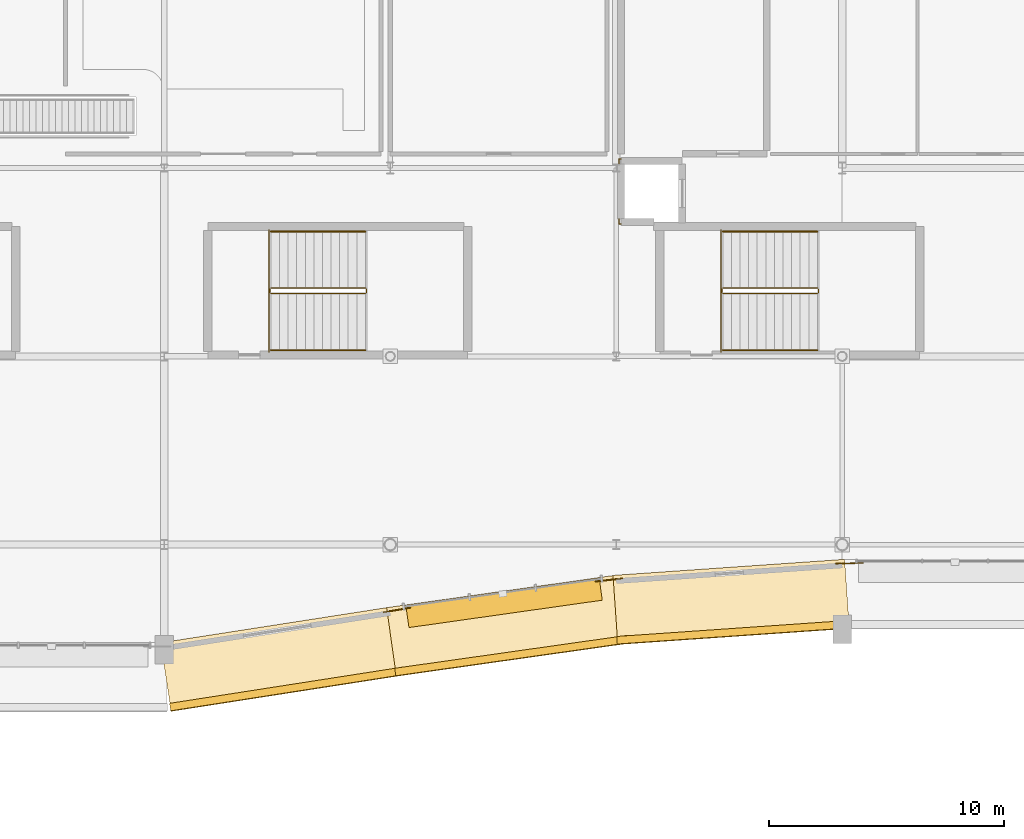
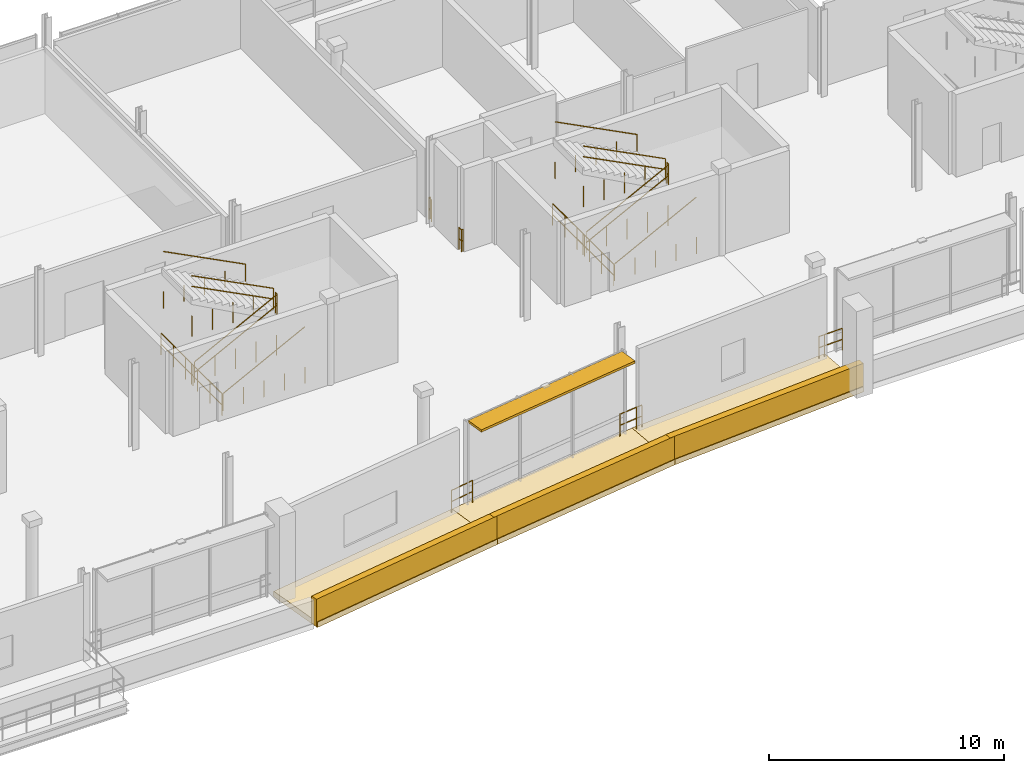
# One storey, part 49 of 59: 19 railings, 6 coverings, 1 shading device.
"""IFC4 building model written with IfcOpenShell, lengths in metres."""

from ifc_helpers import new_model, si_unit, direction, frame, origin, origin_2d, place, context, subcontext, project, spatial, rectangle, circle, extrude, material, layer, layer_set, type_object, element, save


model = new_model("IFC4")

# Units and contexts
model_context = context("Model", 3, precision=1e-05, world=origin(), true_north=direction((0.0, 1.0)))
body_context = subcontext(model_context, "Body", "Model", "MODEL_VIEW")
ifc_project = project(units=[si_unit("LENGTHUNIT", "METRE"), si_unit("AREAUNIT", "SQUARE_METRE"), si_unit("VOLUMEUNIT", "CUBIC_METRE"), si_unit("PLANEANGLEUNIT", "RADIAN"), si_unit("MASSUNIT", "GRAM", prefix="KILO")], contexts=[model_context])

# Site, building, storey
site_placement = place(None, origin())
site = spatial("IfcSite", under=ifc_project, at=site_placement, CompositionType="ELEMENT")
building_placement = place(site_placement, origin())
building = spatial("IfcBuilding", under=site, at=building_placement, Name="Danafjord Basin Convention Centre", CompositionType="ELEMENT")
storey_placement = place(building_placement, frame((0.0, 0.0, 15.89990234375)))
storey = spatial("IfcBuildingStorey", under=building, at=storey_placement, Name="L03", CompositionType="ELEMENT", Elevation=15.89990234375)

# Coverings
ifc_material_1 = material(Name="Architectural white precast concrete C45/55", Category="concrete")
ifc_layer = layer(ifc_material_1, 0.320068359375)
ifc_layer_set = layer_set([ifc_layer], Name="Architectural white precast concrete C45/55")
covering_type = type_object("IfcCoveringType", Name="COV-BAND-HORIZ", PredefinedType="CLADDING", material=ifc_layer_set)
covering_1_placement = place(storey_placement, frame((33.788330078125, 3.135986328125, -0.27978515625), z_axis=(0.0, 0.0, 1.0), x_axis=(0.988121679372, 0.153673507006, 0.0)))
element("IfcCovering", 1, at=covering_1_placement, inside=storey, type_object=covering_type, Name="L03 stepped horizontal band soffit plate 28", PredefinedType="CLADDING", context=body_context, shape_type="SweptSolid", body=[
    extrude(rectangle(XDim=9.955078125, YDim=2.949951171875, at=origin_2d()), origin(), (0.0, 0.0, 1.0), 0.280029296875),
])
covering_2_placement = place(storey_placement, frame((33.985595703125, 1.8662109375, -0.23974609375), z_axis=(0.0, 0.0, 1.0), x_axis=(0.988121679372, 0.153673507006, 0.0)))
element("IfcCovering", 2, at=covering_2_placement, inside=storey, type_object=covering_type, Name="L03 layered horizontal white spandrel band 28", PredefinedType="CLADDING", context=body_context, shape_type="SweptSolid", body=[
    extrude(rectangle(XDim=9.9951171875, YDim=0.320068359375, at=origin_2d()), origin(), (0.0, 0.0, 1.0), 1.419921875),
])
covering_3_placement = place(storey_placement, frame((43.37158203125, 4.5595703125, -0.27978515625), z_axis=(0.0, 0.0, 1.0), x_axis=(0.990128157327, 0.140165017276, 0.0)))
element("IfcCovering", 3, at=covering_3_placement, inside=storey, type_object=covering_type, Name="L03 stepped horizontal band soffit plate 29", PredefinedType="CLADDING", context=body_context, shape_type="SweptSolid", body=[
    extrude(rectangle(XDim=9.93603515625, YDim=2.949951171875, at=origin_2d()), origin(), (0.0, 0.0, 1.0), 0.280029296875),
])
covering_4_placement = place(storey_placement, frame((43.5517578125, 3.287353515625, -0.23974609375), z_axis=(0.0, 0.0, 1.0), x_axis=(0.990128157327, 0.140165017276, 0.0)))
element("IfcCovering", 4, at=covering_4_placement, inside=storey, type_object=covering_type, Name="L03 layered horizontal white spandrel band 29", PredefinedType="CLADDING", context=body_context, shape_type="SweptSolid", body=[
    extrude(rectangle(XDim=9.97607421875, YDim=0.320068359375, at=origin_2d()), origin(), (0.0, 0.0, 1.0), 1.419921875),
])
covering_5_placement = place(storey_placement, frame((52.884765625, 5.5625, -0.27978515625), z_axis=(0.0, 0.0, 1.0), x_axis=(0.997609375858, 0.069105232798, 0.0)))
element("IfcCovering", 5, at=covering_5_placement, inside=storey, type_object=covering_type, Name="L03 stepped horizontal band soffit plate 30", PredefinedType="CLADDING", context=body_context, shape_type="SweptSolid", body=[
    extrude(rectangle(XDim=9.863037109375, YDim=2.949951171875, at=origin_2d()), origin(), (0.0, 0.0, 1.0), 0.280029296875),
])
covering_6_placement = place(storey_placement, frame((52.973388671875, 4.280517578125, -0.23974609375), z_axis=(0.0, 0.0, 1.0), x_axis=(0.997609375858, 0.069105232798, 0.0)))
element("IfcCovering", 6, at=covering_6_placement, inside=storey, type_object=covering_type, Name="L03 layered horizontal white spandrel band 30", PredefinedType="CLADDING", context=body_context, shape_type="SweptSolid", body=[
    extrude(rectangle(XDim=9.903076171875, YDim=0.320068359375, at=origin_2d()), origin(), (0.0, 0.0, 1.0), 1.419921875),
])

# Railings
ifc_material_2 = material(Name="Laminated structural glass and stainless steel", Category="steel")
railing_type_1 = type_object("IfcRailingType", Name="RL-BAL-GLS", PredefinedType="BALUSTRADE", material=ifc_material_2)
railing_1_placement = place(storey_placement, frame((58.47998046875, 7.219970703125, 0.0)))
element("IfcRailing", 7, at=railing_1_placement, inside=storey, type_object=railing_type_1, Name="L03 safety guard balustrade 254", PredefinedType="BALUSTRADE", context=body_context, shape_type="SweptSolid", body=[
    extrude(circle(Radius=0.02392578125, at=origin_2d()), frame((0.0, 0.0, 1.1259765625), z_axis=(-0.999662472804, -0.025979616379, 0.0), x_axis=(0.025979616379, -0.999662472804, 0.0)), (0.0, 0.0, 1.0), 0.88330078125),
    extrude(circle(Radius=0.02392578125, at=origin_2d()), frame((0.0, 0.0, 0.55078125), z_axis=(-0.999662472804, -0.025979616379, 0.0), x_axis=(0.025979616379, -0.999662472804, 0.0)), (0.0, 0.0, 1.0), 0.88330078125),
    extrude(circle(Radius=0.02392578125, at=origin_2d()), frame((-0.883056640625, -0.02294921875, 1.1259765625), z_axis=(-0.99910130476, -0.04238611596, 0.0), x_axis=(0.04238611596, -0.99910130476, 0.0)), (0.0, 0.0, 1.0), 0.2822265625),
    extrude(circle(Radius=0.02392578125, at=origin_2d()), frame((-0.883056640625, -0.02294921875, 0.55078125), z_axis=(-0.99910130476, -0.04238611596, 0.0), x_axis=(0.04238611596, -0.99910130476, 0.0)), (0.0, 0.0, 1.0), 0.2822265625),
    extrude(circle(Radius=0.02099609375, at=origin_2d()), origin(), (0.0, 0.0, 1.0), 1.099853515625),
    extrude(circle(Radius=0.02099609375, at=origin_2d()), frame((-0.883056640625, -0.02294921875, 0.0)), (0.0, 0.0, 1.0), 1.099853515625),
    extrude(circle(Radius=0.02099609375, at=origin_2d()), frame((-1.1650390625, -0.034912109375, 0.0)), (0.0, 0.0, 1.0), 1.099853515625),
])
railing_2_placement = place(storey_placement, frame((48.27294921875, 6.55908203125, 0.0)))
element("IfcRailing", 8, at=railing_2_placement, inside=storey, type_object=railing_type_1, Name="L03 safety guard balustrade 255", PredefinedType="BALUSTRADE", context=body_context, shape_type="SweptSolid", body=[
    extrude(circle(Radius=0.02392578125, at=origin_2d()), frame((0.0, 0.0, 1.1259765625), z_axis=(-0.995382053883, -0.09599253517, 0.0), x_axis=(0.09599253517, -0.995382053883, 0.0)), (0.0, 0.0, 1.0), 0.2822265625),
    extrude(circle(Radius=0.02392578125, at=origin_2d()), frame((0.0, 0.0, 0.55078125), z_axis=(-0.995382053883, -0.09599253517, 0.0), x_axis=(0.09599253517, -0.995382053883, 0.0)), (0.0, 0.0, 1.0), 0.2822265625),
    extrude(circle(Radius=0.02392578125, at=origin_2d()), frame((-0.281005859375, -0.027099609375, 1.1259765625), z_axis=(-0.993562916421, -0.113281645087, 0.0), x_axis=(0.113281645087, -0.993562916421, 0.0)), (0.0, 0.0, 1.0), 0.883544921875),
    extrude(circle(Radius=0.02392578125, at=origin_2d()), frame((-0.281005859375, -0.027099609375, 0.55078125), z_axis=(-0.993562916421, -0.113281645087, 0.0), x_axis=(0.113281645087, -0.993562916421, 0.0)), (0.0, 0.0, 1.0), 0.883544921875),
    extrude(circle(Radius=0.02099609375, at=origin_2d()), origin(), (0.0, 0.0, 1.0), 1.099853515625),
    extrude(circle(Radius=0.02099609375, at=origin_2d()), frame((-0.281005859375, -0.027099609375, 0.0)), (0.0, 0.0, 1.0), 1.099853515625),
    extrude(circle(Radius=0.02099609375, at=origin_2d()), frame((-1.158935546875, -0.127197265625, 0.0)), (0.0, 0.0, 1.0), 1.099853515625),
])
railing_3_placement = place(storey_placement, frame((39.257080078125, 5.320068359375, 0.0)))
element("IfcRailing", 9, at=railing_3_placement, inside=storey, type_object=railing_type_1, Name="L03 safety guard balustrade 256", PredefinedType="BALUSTRADE", context=body_context, shape_type="SweptSolid", body=[
    extrude(circle(Radius=0.02392578125, at=origin_2d()), frame((0.0, 0.0, 1.1259765625), z_axis=(-0.98579674647, -0.167942771947, 0.0), x_axis=(0.167942771947, -0.98579674647, 0.0)), (0.0, 0.0, 1.0), 1.16162109375),
    extrude(circle(Radius=0.02392578125, at=origin_2d()), frame((0.0, 0.0, 0.55078125), z_axis=(-0.98579674647, -0.167942771947, 0.0), x_axis=(0.167942771947, -0.98579674647, 0.0)), (0.0, 0.0, 1.0), 1.16162109375),
    extrude(circle(Radius=0.02099609375, at=origin_2d()), origin(), (0.0, 0.0, 1.0), 1.099853515625),
    extrude(circle(Radius=0.02099609375, at=origin_2d()), frame((-1.14501953125, -0.195068359375, 0.0)), (0.0, 0.0, 1.0), 1.099853515625),
])
railing_4_placement = place(storey_placement, frame((48.199951171875, 24.3798828125, 0.0)))
element("IfcRailing", 10, at=railing_4_placement, inside=storey, type_object=railing_type_1, Name="L03 safety guard balustrade 268", PredefinedType="BALUSTRADE", context=body_context, shape_type="SweptSolid", body=[
    extrude(circle(Radius=0.02392578125, at=origin_2d()), frame((0.0, 0.0, 1.1259765625), z_axis=(-1.0, 0.0, 0.0), x_axis=(0.0, -1.0, 0.0)), (0.0, 0.0, 1.0), 0.079833984375),
    extrude(circle(Radius=0.02392578125, at=origin_2d()), frame((0.0, 0.0, 0.55078125), z_axis=(-1.0, 0.0, 0.0), x_axis=(0.0, -1.0, 0.0)), (0.0, 0.0, 1.0), 0.079833984375),
    extrude(circle(Radius=0.02392578125, at=origin_2d()), frame((-0.079833984375, 0.0, 1.1259765625), z_axis=(0.0, -1.0, 0.0), x_axis=(1.0, 0.0, 0.0)), (0.0, 0.0, 1.0), 0.21484375),
    extrude(circle(Radius=0.02392578125, at=origin_2d()), frame((-0.079833984375, 0.0, 0.55078125), z_axis=(0.0, -1.0, 0.0), x_axis=(1.0, 0.0, 0.0)), (0.0, 0.0, 1.0), 0.21484375),
    extrude(circle(Radius=0.02099609375, at=origin_2d()), origin(), (0.0, 0.0, 1.0), 1.099853515625),
    extrude(circle(Radius=0.02099609375, at=origin_2d()), frame((-0.079833984375, 0.0, 0.0)), (0.0, 0.0, 1.0), 1.099853515625),
    extrude(circle(Radius=0.02099609375, at=origin_2d()), frame((-0.079833984375, -0.21484375, 0.0)), (0.0, 0.0, 1.0), 1.099853515625),
])
railing_5_placement = place(storey_placement, frame((33.25, 21.375, 0.0)))
element("IfcRailing", 11, at=railing_5_placement, inside=storey, type_object=railing_type_1, Name="L03 safety guard balustrade 270", PredefinedType="BALUSTRADE", context=body_context, shape_type="SweptSolid", body=[
    extrude(circle(Radius=0.02392578125, at=origin_2d()), frame((0.0, 0.0, 1.1259765625), z_axis=(0.0, -1.0, 0.0), x_axis=(1.0, 0.0, 0.0)), (0.0, 0.0, 1.0), 5.18994140625),
    extrude(circle(Radius=0.02392578125, at=origin_2d()), frame((0.0, 0.0, 0.55078125), z_axis=(0.0, -1.0, 0.0), x_axis=(1.0, 0.0, 0.0)), (0.0, 0.0, 1.0), 5.18994140625),
    extrude(circle(Radius=0.02099609375, at=origin_2d()), origin(), (0.0, 0.0, 1.0), 1.099853515625),
    extrude(circle(Radius=0.02099609375, at=origin_2d()), frame((0.0, -1.0380859375, 0.0)), (0.0, 0.0, 1.0), 1.099853515625),
    extrude(circle(Radius=0.02099609375, at=origin_2d()), frame((0.0, -2.075927734375, 0.0)), (0.0, 0.0, 1.0), 1.099853515625),
    extrude(circle(Radius=0.02099609375, at=origin_2d()), frame((0.0, -3.114013671875, 0.0)), (0.0, 0.0, 1.0), 1.099853515625),
    extrude(circle(Radius=0.02099609375, at=origin_2d()), frame((0.0, -4.15185546875, 0.0)), (0.0, 0.0, 1.0), 1.099853515625),
    extrude(circle(Radius=0.02099609375, at=origin_2d()), frame((0.0, -5.18994140625, 0.0)), (0.0, 0.0, 1.0), 1.099853515625),
])
ifc_material_3 = material(Name="Galvanised and powder-coated steel S355", Category="steel")
railing_type_2 = type_object("IfcRailingType", Name="RL-BAL-STL", PredefinedType="BALUSTRADE", material=ifc_material_3)
railing_6_placement = place(storey_placement, frame((52.449951171875, 21.375, 0.0)))
element("IfcRailing", 12, at=railing_6_placement, inside=storey, type_object=railing_type_2, Name="L03 safety guard balustrade 267", PredefinedType="BALUSTRADE", context=body_context, shape_type="SweptSolid", body=[
    extrude(circle(Radius=0.02392578125, at=origin_2d()), frame((0.0, 0.0, 1.1259765625), z_axis=(0.0, -1.0, 0.0), x_axis=(1.0, 0.0, 0.0)), (0.0, 0.0, 1.0), 5.18994140625),
    extrude(circle(Radius=0.02392578125, at=origin_2d()), frame((0.0, 0.0, 0.55078125), z_axis=(0.0, -1.0, 0.0), x_axis=(1.0, 0.0, 0.0)), (0.0, 0.0, 1.0), 5.18994140625),
    extrude(circle(Radius=0.02099609375, at=origin_2d()), origin(), (0.0, 0.0, 1.0), 1.099853515625),
    extrude(circle(Radius=0.02099609375, at=origin_2d()), frame((0.0, -1.0380859375, 0.0)), (0.0, 0.0, 1.0), 1.099853515625),
    extrude(circle(Radius=0.02099609375, at=origin_2d()), frame((0.0, -2.075927734375, 0.0)), (0.0, 0.0, 1.0), 1.099853515625),
    extrude(circle(Radius=0.02099609375, at=origin_2d()), frame((0.0, -3.114013671875, 0.0)), (0.0, 0.0, 1.0), 1.099853515625),
    extrude(circle(Radius=0.02099609375, at=origin_2d()), frame((0.0, -4.15185546875, 0.0)), (0.0, 0.0, 1.0), 1.099853515625),
    extrude(circle(Radius=0.02099609375, at=origin_2d()), frame((0.0, -5.18994140625, 0.0)), (0.0, 0.0, 1.0), 1.099853515625),
])
railing_7_placement = place(storey_placement, frame((48.1201171875, 21.8349609375, 0.0)))
element("IfcRailing", 13, at=railing_7_placement, inside=storey, type_object=railing_type_2, Name="L03 safety guard balustrade 269", PredefinedType="BALUSTRADE", context=body_context, shape_type="SweptSolid", body=[
    extrude(circle(Radius=0.02392578125, at=origin_2d()), frame((0.0, 0.0, 1.1259765625), z_axis=(0.0, -1.0, 0.0), x_axis=(1.0, 0.0, 0.0)), (0.0, 0.0, 1.0), 0.21484375),
    extrude(circle(Radius=0.02392578125, at=origin_2d()), frame((0.0, 0.0, 0.55078125), z_axis=(0.0, -1.0, 0.0), x_axis=(1.0, 0.0, 0.0)), (0.0, 0.0, 1.0), 0.21484375),
    extrude(circle(Radius=0.02392578125, at=origin_2d()), frame((0.0, -0.21484375, 1.1259765625), z_axis=(1.0, 0.0, 0.0), x_axis=(0.0, 1.0, 0.0)), (0.0, 0.0, 1.0), 0.079833984375),
    extrude(circle(Radius=0.02392578125, at=origin_2d()), frame((0.0, -0.21484375, 0.55078125), z_axis=(1.0, 0.0, 0.0), x_axis=(0.0, 1.0, 0.0)), (0.0, 0.0, 1.0), 0.079833984375),
    extrude(circle(Radius=0.02099609375, at=origin_2d()), origin(), (0.0, 0.0, 1.0), 1.099853515625),
    extrude(circle(Radius=0.02099609375, at=origin_2d()), frame((0.0, -0.21484375, 0.0)), (0.0, 0.0, 1.0), 1.099853515625),
    extrude(circle(Radius=0.02099609375, at=origin_2d()), frame((0.079833984375, -0.21484375, 0.0)), (0.0, 0.0, 1.0), 1.099853515625),
])
ifc_material_4 = material(Name="Galvanised steel S355", Category="steel")
railing_type_3 = type_object("IfcRailingType", Name="RL-GD-WELL", PredefinedType="BALUSTRADE", material=ifc_material_4)
railing_8_placement = place(storey_placement, frame((52.530029296875, 18.659912109375, 0.1875)))
element("IfcRailing", 14, at=railing_8_placement, inside=storey, type_object=railing_type_3, Name="L03 ST-05 stair guard 1", PredefinedType="BALUSTRADE", context=body_context, shape_type="SweptSolid", body=[
    extrude(circle(Radius=0.02392578125, at=origin_2d()), frame((0.0, 0.0, 1.076171875), z_axis=(0.889495128042, 0.0, 0.456944654405), x_axis=(0.0, 1.0, 0.0)), (0.0, 0.0, 1.0), 4.513671875),
    extrude(circle(Radius=0.02392578125, at=origin_2d()), frame((0.0, 0.0, 0.52587890625), z_axis=(0.889495128042, 0.0, 0.456944654405), x_axis=(0.0, 1.0, 0.0)), (0.0, 0.0, 1.0), 4.513671875),
    extrude(circle(Radius=0.02099609375, at=origin_2d()), origin(), (0.0, 0.0, 1.0), 1.050048828125),
    extrude(circle(Radius=0.02099609375, at=origin_2d()), frame((1.003662109375, 0.0, 0.0)), (0.0, 0.0, 1.0), 1.050048828125),
    extrude(circle(Radius=0.02099609375, at=origin_2d()), frame((2.00732421875, 0.0, 0.0)), (0.0, 0.0, 1.0), 1.050048828125),
    extrude(circle(Radius=0.02099609375, at=origin_2d()), frame((3.01123046875, 0.0, 0.0)), (0.0, 0.0, 1.0), 1.050048828125),
    extrude(circle(Radius=0.02099609375, at=origin_2d()), frame((4.014892578125, 0.0, 0.0)), (0.0, 0.0, 1.0), 1.050048828125),
])
railing_9_placement = place(storey_placement, frame((56.594970703125, 18.7099609375, 2.25)))
element("IfcRailing", 15, at=railing_9_placement, inside=storey, type_object=railing_type_3, Name="L03 ST-05 stair guard 2", PredefinedType="BALUSTRADE", context=body_context, shape_type="SweptSolid", body=[
    extrude(circle(Radius=0.02392578125, at=origin_2d()), frame((0.0, 0.0, 1.076171875), z_axis=(0.0, 1.0, 0.0), x_axis=(-1.0, 0.0, 0.0)), (0.0, 0.0, 1.0), 0.14013671875),
    extrude(circle(Radius=0.02392578125, at=origin_2d()), frame((0.0, 0.0, 0.52587890625), z_axis=(0.0, 1.0, 0.0), x_axis=(-1.0, 0.0, 0.0)), (0.0, 0.0, 1.0), 0.14013671875),
    extrude(circle(Radius=0.02099609375, at=origin_2d()), origin(), (0.0, 0.0, 1.0), 1.050048828125),
    extrude(circle(Radius=0.02099609375, at=origin_2d()), frame((0.0, 0.14013671875, 0.0)), (0.0, 0.0, 1.0), 1.050048828125),
])
railing_10_placement = place(storey_placement, frame((56.544921875, 18.89990234375, 2.4375)))
element("IfcRailing", 16, at=railing_10_placement, inside=storey, type_object=railing_type_3, Name="L03 ST-05 stair guard 3", PredefinedType="BALUSTRADE", context=body_context, shape_type="SweptSolid", body=[
    extrude(circle(Radius=0.02392578125, at=origin_2d()), frame((0.0, 0.0, 1.076171875), z_axis=(-0.889495128042, 0.0, 0.456944654405), x_axis=(0.0, -1.0, 0.0)), (0.0, 0.0, 1.0), 4.513671875),
    extrude(circle(Radius=0.02392578125, at=origin_2d()), frame((0.0, 0.0, 0.52587890625), z_axis=(-0.889495128042, 0.0, 0.456944654405), x_axis=(0.0, -1.0, 0.0)), (0.0, 0.0, 1.0), 4.513671875),
    extrude(circle(Radius=0.02099609375, at=origin_2d()), origin(), (0.0, 0.0, 1.0), 1.050048828125),
    extrude(circle(Radius=0.02099609375, at=origin_2d()), frame((-1.003662109375, 0.0, 0.0)), (0.0, 0.0, 1.0), 1.050048828125),
    extrude(circle(Radius=0.02099609375, at=origin_2d()), frame((-2.00732421875, 0.0, 0.0)), (0.0, 0.0, 1.0), 1.050048828125),
    extrude(circle(Radius=0.02099609375, at=origin_2d()), frame((-3.01123046875, 0.0, 0.0)), (0.0, 0.0, 1.0), 1.050048828125),
    extrude(circle(Radius=0.02099609375, at=origin_2d()), frame((-4.014892578125, 0.0, 0.0)), (0.0, 0.0, 1.0), 1.050048828125),
])
railing_11_placement = place(storey_placement, frame((52.47998046875, 18.7099609375, 0.0)))
element("IfcRailing", 17, at=railing_11_placement, inside=storey, type_object=railing_type_3, Name="L03 ST-05 stair guard 4", PredefinedType="BALUSTRADE", context=body_context, shape_type="SweptSolid", body=[
    extrude(circle(Radius=0.02392578125, at=origin_2d()), frame((0.0, 0.0, 1.076171875), z_axis=(0.0, 1.0, 0.0), x_axis=(-1.0, 0.0, 0.0)), (0.0, 0.0, 1.0), 0.14013671875),
    extrude(circle(Radius=0.02392578125, at=origin_2d()), frame((0.0, 0.0, 0.52587890625), z_axis=(0.0, 1.0, 0.0), x_axis=(-1.0, 0.0, 0.0)), (0.0, 0.0, 1.0), 0.14013671875),
    extrude(circle(Radius=0.02099609375, at=origin_2d()), origin(), (0.0, 0.0, 1.0), 1.050048828125),
    extrude(circle(Radius=0.02099609375, at=origin_2d()), frame((0.0, 0.14013671875, 0.0)), (0.0, 0.0, 1.0), 1.050048828125),
])
railing_12_placement = place(storey_placement, frame((33.330078125, 18.659912109375, 0.1875)))
element("IfcRailing", 18, at=railing_12_placement, inside=storey, type_object=railing_type_3, Name="L03 ST-02 stair guard 1", PredefinedType="BALUSTRADE", context=body_context, shape_type="SweptSolid", body=[
    extrude(circle(Radius=0.02392578125, at=origin_2d()), frame((0.0, 0.0, 1.076171875), z_axis=(0.889495128042, 0.0, 0.456944654405), x_axis=(0.0, 1.0, 0.0)), (0.0, 0.0, 1.0), 4.513671875),
    extrude(circle(Radius=0.02392578125, at=origin_2d()), frame((0.0, 0.0, 0.52587890625), z_axis=(0.889495128042, 0.0, 0.456944654405), x_axis=(0.0, 1.0, 0.0)), (0.0, 0.0, 1.0), 4.513671875),
    extrude(circle(Radius=0.02099609375, at=origin_2d()), origin(), (0.0, 0.0, 1.0), 1.050048828125),
    extrude(circle(Radius=0.02099609375, at=origin_2d()), frame((1.003662109375, 0.0, 0.0)), (0.0, 0.0, 1.0), 1.050048828125),
    extrude(circle(Radius=0.02099609375, at=origin_2d()), frame((2.00732421875, 0.0, 0.0)), (0.0, 0.0, 1.0), 1.050048828125),
    extrude(circle(Radius=0.02099609375, at=origin_2d()), frame((3.01123046875, 0.0, 0.0)), (0.0, 0.0, 1.0), 1.050048828125),
    extrude(circle(Radius=0.02099609375, at=origin_2d()), frame((4.014892578125, 0.0, 0.0)), (0.0, 0.0, 1.0), 1.050048828125),
])
railing_13_placement = place(storey_placement, frame((37.39501953125, 18.7099609375, 2.25)))
element("IfcRailing", 19, at=railing_13_placement, inside=storey, type_object=railing_type_3, Name="L03 ST-02 stair guard 2", PredefinedType="BALUSTRADE", context=body_context, shape_type="SweptSolid", body=[
    extrude(circle(Radius=0.02392578125, at=origin_2d()), frame((0.0, 0.0, 1.076171875), z_axis=(0.0, 1.0, 0.0), x_axis=(-1.0, 0.0, 0.0)), (0.0, 0.0, 1.0), 0.14013671875),
    extrude(circle(Radius=0.02392578125, at=origin_2d()), frame((0.0, 0.0, 0.52587890625), z_axis=(0.0, 1.0, 0.0), x_axis=(-1.0, 0.0, 0.0)), (0.0, 0.0, 1.0), 0.14013671875),
    extrude(circle(Radius=0.02099609375, at=origin_2d()), origin(), (0.0, 0.0, 1.0), 1.050048828125),
    extrude(circle(Radius=0.02099609375, at=origin_2d()), frame((0.0, 0.14013671875, 0.0)), (0.0, 0.0, 1.0), 1.050048828125),
])
railing_14_placement = place(storey_placement, frame((37.344970703125, 18.89990234375, 2.4375)))
element("IfcRailing", 20, at=railing_14_placement, inside=storey, type_object=railing_type_3, Name="L03 ST-02 stair guard 3", PredefinedType="BALUSTRADE", context=body_context, shape_type="SweptSolid", body=[
    extrude(circle(Radius=0.02392578125, at=origin_2d()), frame((0.0, 0.0, 1.076171875), z_axis=(-0.889495128042, 0.0, 0.456944654405), x_axis=(0.0, -1.0, 0.0)), (0.0, 0.0, 1.0), 4.513671875),
    extrude(circle(Radius=0.02392578125, at=origin_2d()), frame((0.0, 0.0, 0.52587890625), z_axis=(-0.889495128042, 0.0, 0.456944654405), x_axis=(0.0, -1.0, 0.0)), (0.0, 0.0, 1.0), 4.513671875),
    extrude(circle(Radius=0.02099609375, at=origin_2d()), origin(), (0.0, 0.0, 1.0), 1.050048828125),
    extrude(circle(Radius=0.02099609375, at=origin_2d()), frame((-1.003662109375, 0.0, 0.0)), (0.0, 0.0, 1.0), 1.050048828125),
    extrude(circle(Radius=0.02099609375, at=origin_2d()), frame((-2.00732421875, 0.0, 0.0)), (0.0, 0.0, 1.0), 1.050048828125),
    extrude(circle(Radius=0.02099609375, at=origin_2d()), frame((-3.01123046875, 0.0, 0.0)), (0.0, 0.0, 1.0), 1.050048828125),
    extrude(circle(Radius=0.02099609375, at=origin_2d()), frame((-4.014892578125, 0.0, 0.0)), (0.0, 0.0, 1.0), 1.050048828125),
])
railing_15_placement = place(storey_placement, frame((33.280029296875, 18.7099609375, 0.0)))
element("IfcRailing", 21, at=railing_15_placement, inside=storey, type_object=railing_type_3, Name="L03 ST-02 stair guard 4", PredefinedType="BALUSTRADE", context=body_context, shape_type="SweptSolid", body=[
    extrude(circle(Radius=0.02392578125, at=origin_2d()), frame((0.0, 0.0, 1.076171875), z_axis=(0.0, 1.0, 0.0), x_axis=(-1.0, 0.0, 0.0)), (0.0, 0.0, 1.0), 0.14013671875),
    extrude(circle(Radius=0.02392578125, at=origin_2d()), frame((0.0, 0.0, 0.52587890625), z_axis=(0.0, 1.0, 0.0), x_axis=(-1.0, 0.0, 0.0)), (0.0, 0.0, 1.0), 0.14013671875),
    extrude(circle(Radius=0.02099609375, at=origin_2d()), origin(), (0.0, 0.0, 1.0), 1.050048828125),
    extrude(circle(Radius=0.02099609375, at=origin_2d()), frame((0.0, 0.14013671875, 0.0)), (0.0, 0.0, 1.0), 1.050048828125),
])
ifc_material_5 = material(Name="Brushed stainless steel EN 1.4404", Category="steel")
railing_type_4 = type_object("IfcRailingType", Name="RL-HR-STAIR", PredefinedType="HANDRAIL", material=ifc_material_5)
railing_16_placement = place(storey_placement, frame((52.530029296875, 16.260009765625, 0.1875)))
element("IfcRailing", 22, at=railing_16_placement, inside=storey, type_object=railing_type_4, Name="L03 ST-05 stair handrail 1", PredefinedType="HANDRAIL", context=body_context, shape_type="SweptSolid", body=[
    extrude(circle(Radius=0.02392578125, at=origin_2d()), frame((0.0, 0.0, 0.8759765625), z_axis=(0.889495128042, 0.0, 0.456944654405), x_axis=(0.0, 1.0, 0.0)), (0.0, 0.0, 1.0), 4.513671875),
    extrude(circle(Radius=0.02099609375, at=origin_2d()), origin(), (0.0, 0.0, 1.0), 0.849853515625),
    extrude(circle(Radius=0.02099609375, at=origin_2d()), frame((1.003662109375, 0.0, 0.0)), (0.0, 0.0, 1.0), 0.849853515625),
    extrude(circle(Radius=0.02099609375, at=origin_2d()), frame((2.00732421875, 0.0, 0.0)), (0.0, 0.0, 1.0), 0.849853515625),
    extrude(circle(Radius=0.02099609375, at=origin_2d()), frame((3.01123046875, 0.0, 0.0)), (0.0, 0.0, 1.0), 0.849853515625),
    extrude(circle(Radius=0.02099609375, at=origin_2d()), frame((4.014892578125, 0.0, 0.0)), (0.0, 0.0, 1.0), 0.849853515625),
])
railing_17_placement = place(storey_placement, frame((56.544921875, 21.300048828125, 2.4375)))
element("IfcRailing", 23, at=railing_17_placement, inside=storey, type_object=railing_type_4, Name="L03 ST-05 stair handrail 2", PredefinedType="HANDRAIL", context=body_context, shape_type="SweptSolid", body=[
    extrude(circle(Radius=0.02392578125, at=origin_2d()), frame((0.0, 0.0, 0.8759765625), z_axis=(-0.889495128042, 0.0, 0.456944654405), x_axis=(0.0, -1.0, 0.0)), (0.0, 0.0, 1.0), 4.513671875),
    extrude(circle(Radius=0.02099609375, at=origin_2d()), origin(), (0.0, 0.0, 1.0), 0.849853515625),
    extrude(circle(Radius=0.02099609375, at=origin_2d()), frame((-1.003662109375, 0.0, 0.0)), (0.0, 0.0, 1.0), 0.849853515625),
    extrude(circle(Radius=0.02099609375, at=origin_2d()), frame((-2.00732421875, 0.0, 0.0)), (0.0, 0.0, 1.0), 0.849853515625),
    extrude(circle(Radius=0.02099609375, at=origin_2d()), frame((-3.01123046875, 0.0, 0.0)), (0.0, 0.0, 1.0), 0.849853515625),
    extrude(circle(Radius=0.02099609375, at=origin_2d()), frame((-4.014892578125, 0.0, 0.0)), (0.0, 0.0, 1.0), 0.849853515625),
])
railing_18_placement = place(storey_placement, frame((33.330078125, 16.260009765625, 0.1875)))
element("IfcRailing", 24, at=railing_18_placement, inside=storey, type_object=railing_type_4, Name="L03 ST-02 stair handrail 1", PredefinedType="HANDRAIL", context=body_context, shape_type="SweptSolid", body=[
    extrude(circle(Radius=0.02392578125, at=origin_2d()), frame((0.0, 0.0, 0.8759765625), z_axis=(0.889495128042, 0.0, 0.456944654405), x_axis=(0.0, 1.0, 0.0)), (0.0, 0.0, 1.0), 4.513671875),
    extrude(circle(Radius=0.02099609375, at=origin_2d()), origin(), (0.0, 0.0, 1.0), 0.849853515625),
    extrude(circle(Radius=0.02099609375, at=origin_2d()), frame((1.003662109375, 0.0, 0.0)), (0.0, 0.0, 1.0), 0.849853515625),
    extrude(circle(Radius=0.02099609375, at=origin_2d()), frame((2.00732421875, 0.0, 0.0)), (0.0, 0.0, 1.0), 0.849853515625),
    extrude(circle(Radius=0.02099609375, at=origin_2d()), frame((3.01123046875, 0.0, 0.0)), (0.0, 0.0, 1.0), 0.849853515625),
    extrude(circle(Radius=0.02099609375, at=origin_2d()), frame((4.014892578125, 0.0, 0.0)), (0.0, 0.0, 1.0), 0.849853515625),
])
railing_19_placement = place(storey_placement, frame((37.344970703125, 21.300048828125, 2.4375)))
element("IfcRailing", 25, at=railing_19_placement, inside=storey, type_object=railing_type_4, Name="L03 ST-02 stair handrail 2", PredefinedType="HANDRAIL", context=body_context, shape_type="SweptSolid", body=[
    extrude(circle(Radius=0.02392578125, at=origin_2d()), frame((0.0, 0.0, 0.8759765625), z_axis=(-0.889495128042, 0.0, 0.456944654405), x_axis=(0.0, -1.0, 0.0)), (0.0, 0.0, 1.0), 4.513671875),
    extrude(circle(Radius=0.02099609375, at=origin_2d()), origin(), (0.0, 0.0, 1.0), 0.849853515625),
    extrude(circle(Radius=0.02099609375, at=origin_2d()), frame((-1.003662109375, 0.0, 0.0)), (0.0, 0.0, 1.0), 0.849853515625),
    extrude(circle(Radius=0.02099609375, at=origin_2d()), frame((-2.00732421875, 0.0, 0.0)), (0.0, 0.0, 1.0), 0.849853515625),
    extrude(circle(Radius=0.02099609375, at=origin_2d()), frame((-3.01123046875, 0.0, 0.0)), (0.0, 0.0, 1.0), 0.849853515625),
    extrude(circle(Radius=0.02099609375, at=origin_2d()), frame((-4.014892578125, 0.0, 0.0)), (0.0, 0.0, 1.0), 0.849853515625),
])

# Shading device
ifc_material_6 = material(Name="Anodised aluminium aerofoil sunshade", Category="aluminium")
shading_device_type = type_object("IfcShadingDeviceType", Name="SHD-SUN-A", PredefinedType="USERDEFINED", material=ifc_material_6)
shading_device_placement = place(storey_placement, frame((43.238037109375, 5.503662109375, 4.154052734375), z_axis=(0.0, 0.0, 1.0), x_axis=(0.990128157327, 0.140165017276, 0.0)))
element("IfcShadingDevice", 26, at=shading_device_placement, inside=storey, type_object=shading_device_type, Name="L03 cantilevered harbour sunshade 11", ObjectType="SUNSHADE", PredefinedType="USERDEFINED", context=body_context, shape_type="SweptSolid", body=[
    extrude(rectangle(XDim=8.295654296875, YDim=0.89990234375, at=origin_2d()), origin(), (0.0, 0.0, 1.0), 0.1201171875),
])

save(model, "model.ifc")
